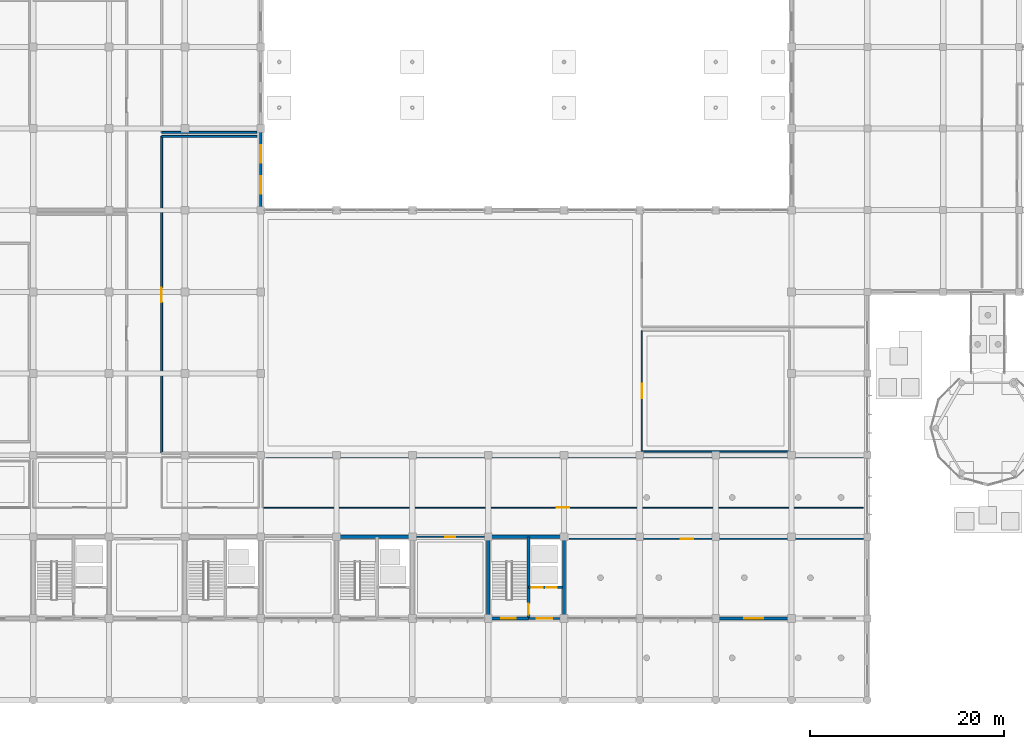
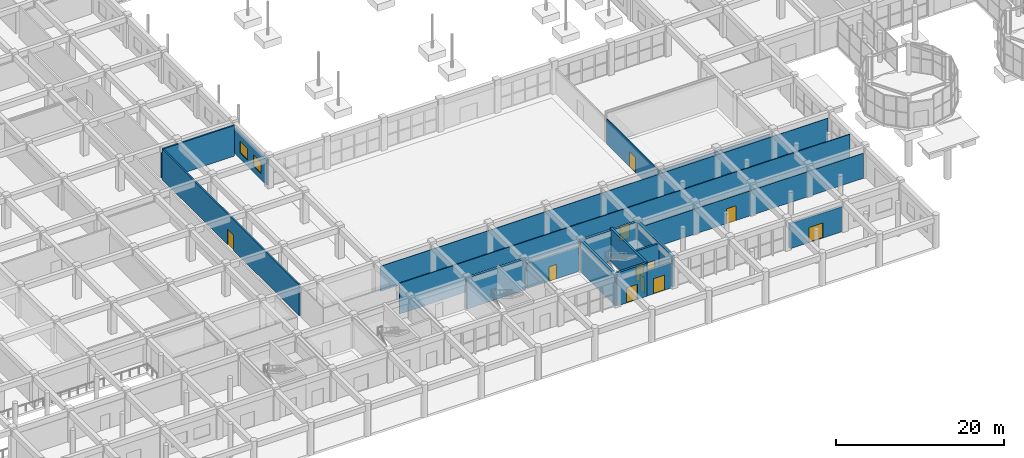
# One storey, part 124 of 139: 19 walls, 11 doors, 2 windows, 13 openings.
"""IFC4 building model written with IfcOpenShell, lengths in metres."""

from ifc_helpers import new_model, si_unit, direction, frame, frame_2d, origin, place, context, subcontext, project, spatial, rectangle, extrude, material, layer, layer_set, type_object, element, fill, save


model = new_model("IFC4")

# Units and contexts
model_context = context("Model", 3, precision=1e-05, world=origin(), true_north=direction((0.0, 1.0)))
body_context = subcontext(model_context, "Body", "Model", "MODEL_VIEW")
ifc_project = project(units=[si_unit("LENGTHUNIT", "METRE"), si_unit("AREAUNIT", "SQUARE_METRE"), si_unit("VOLUMEUNIT", "CUBIC_METRE"), si_unit("PLANEANGLEUNIT", "RADIAN"), si_unit("MASSUNIT", "GRAM", prefix="KILO")], contexts=[model_context])

# Site, building, storey
site_placement = place(None, origin())
site = spatial("IfcSite", under=ifc_project, at=site_placement, CompositionType="ELEMENT")
building_placement = place(site_placement, origin())
building = spatial("IfcBuilding", under=site, at=building_placement, Name="Zizhar Promenade General Hospital", CompositionType="ELEMENT")
storey_placement = place(building_placement, origin())
storey = spatial("IfcBuildingStorey", under=building, at=storey_placement, Name="L00", CompositionType="ELEMENT", Elevation=0.0)

# Wall, openings, windows
ifc_material_1 = material(Name="Precast concrete C40/50", Category="concrete")
ifc_layer_1 = layer(ifc_material_1, 0.260009765625)
ifc_layer_set_1 = layer_set([ifc_layer_1], Name="Precast concrete C40/50")
wall_type_1 = type_object("IfcWallType", Name="EW-PC-260", PredefinedType="STANDARD", material=ifc_layer_set_1)
wall_1_placement = place(storey_placement, frame((70.199951171875, 50.739990234375, 0.0), z_axis=(0.0, 0.0, 1.0), x_axis=(0.0, 1.0, 0.0)))
wall_1 = element("IfcWall", 1, at=wall_1_placement, inside=storey, type_object=wall_type_1, Name="Garden Court West Wall L00-6", PredefinedType="STANDARD", context=body_context, shape_type="SweptSolid", body=[
    extrude(rectangle(XDim=7.719970703125, YDim=0.260009765625, at=frame_2d((3.85986328125, 0.0))), origin(), (0.0, 0.0, 1.0), 3.614990234375),
])
opening_1_placement = place(wall_1_placement, frame((1.373291015625, 0.0, 0.89990234375)))
opening_1 = element("IfcOpeningElement", 2, at=opening_1_placement, cuts=wall_1, Name="Opening W-08", PredefinedType="OPENING", context=body_context, shape_type="SweptSolid", body=[
    extrude(rectangle(XDim=1.800048828125, YDim=1.64990234375, at=frame_2d((0.89990234375, 0.824951171875))), frame((0.0, 0.14013671875, 0.0), z_axis=(0.0, -1.0, 0.0), x_axis=(1.0, 0.0, 0.0)), (0.0, 0.0, 1.0), 0.280029296875),
])
opening_2_placement = place(wall_1_placement, frame((4.546630859375, 0.0, 0.89990234375)))
opening_2 = element("IfcOpeningElement", 3, at=opening_2_placement, cuts=wall_1, Name="Opening W-08", PredefinedType="OPENING", context=body_context, shape_type="SweptSolid", body=[
    extrude(rectangle(XDim=1.800048828125, YDim=1.64990234375, at=frame_2d((0.89990234375, 0.824951171875))), frame((0.0, 0.14013671875, 0.0), z_axis=(0.0, -1.0, 0.0), x_axis=(1.0, 0.0, 0.0)), (0.0, 0.0, 1.0), 0.280029296875),
])
ifc_material_2 = material(Name="Anodised aluminium 6063-T6 and low-E glass", Category="aluminium")
window_type = type_object("IfcWindowType", Name="WIN-CLN-180x165", PartitioningType="DOUBLE_PANEL_VERTICAL", PredefinedType="WINDOW", material=ifc_material_2)
window_1_placement = place(opening_1_placement, origin())
window_1 = element("IfcWindow", 4, at=window_1_placement, inside=storey, type_object=window_type, Name="Garden Court West Wall L00-6 Window 1", OverallHeight=1.64990234375, OverallWidth=1.800048828125, PartitioningType="SINGLE_PANEL", PredefinedType="WINDOW", context=body_context, shape_type="SweptSolid", body=[
    extrude(rectangle(XDim=1.800048828125, YDim=1.64990234375, at=frame_2d((0.89990234375, 0.824951171875))), frame((0.0, 0.030029296875, 0.0), z_axis=(0.0, -1.0, 0.0), x_axis=(1.0, 0.0, 0.0)), (0.0, 0.0, 1.0), 0.06005859375),
])
fill(opening_1, window_1)
window_2_placement = place(opening_2_placement, origin())
window_2 = element("IfcWindow", 5, at=window_2_placement, inside=storey, type_object=window_type, Name="Garden Court West Wall L00-6 Window 2", OverallHeight=1.64990234375, OverallWidth=1.800048828125, PartitioningType="SINGLE_PANEL", PredefinedType="WINDOW", context=body_context, shape_type="SweptSolid", body=[
    extrude(rectangle(XDim=1.800048828125, YDim=1.64990234375, at=frame_2d((0.89990234375, 0.824951171875))), frame((0.0, 0.030029296875, 0.0), z_axis=(0.0, -1.0, 0.0), x_axis=(1.0, 0.0, 0.0)), (0.0, 0.0, 1.0), 0.06005859375),
])
fill(opening_2, window_2)

# Wall, opening, door
ifc_material_3 = material(Name="Precast concrete C40/50", Category="concrete")
ifc_layer_2 = layer(ifc_material_3, 0.320068359375)
ifc_layer_set_2 = layer_set([ifc_layer_2], Name="Precast concrete C40/50")
wall_type_2 = type_object("IfcWallType", Name="EW-PC-320", PredefinedType="STANDARD", material=ifc_layer_set_2)
wall_2_placement = place(storey_placement, frame((124.4599609375, 8.39990234375, 0.0), z_axis=(0.0, 0.0, 1.0), x_axis=(-1.0, 0.0, 0.0)))
wall_2 = element("IfcWall", 6, at=wall_2_placement, inside=storey, type_object=wall_type_2, Name="Promenade Ground Wall Bay 14", PredefinedType="STANDARD", context=body_context, shape_type="SweptSolid", body=[
    extrude(rectangle(XDim=7.119873046875, YDim=0.320068359375, at=frame_2d((3.56005859375, 0.0))), origin(), (0.0, 0.0, 1.0), 3.6298828125),
])
opening_3_placement = place(wall_2_placement, frame((2.580078125, 0.0, 0.0)))
opening_3 = element("IfcOpeningElement", 7, at=opening_3_placement, cuts=wall_2, Name="Opening ED-02", PredefinedType="OPENING", context=body_context, shape_type="SweptSolid", body=[
    extrude(rectangle(XDim=1.9599609375, YDim=2.199951171875, at=frame_2d((0.97998046875, 1.10009765625))), frame((0.0, 0.169921875, 0.0), z_axis=(0.0, -1.0, 0.0), x_axis=(1.0, 0.0, 0.0)), (0.0, 0.0, 1.0), 0.340087890625),
])
ifc_material_4 = material(Name="Anodised aluminium 6063-T6 and laminated safety glass", Category="aluminium")
door_type_1 = type_object("IfcDoorType", Name="DR-EXT-EXIT-196x220", OperationType="DOUBLE_DOOR_SINGLE_SWING", PredefinedType="DOOR", material=ifc_material_4)
door_1_placement = place(opening_3_placement, origin())
door_1 = element("IfcDoor", 8, at=door_1_placement, inside=storey, type_object=door_type_1, Name="Promenade Final Exit Door 14", OperationType="DOUBLE_DOOR_SINGLE_SWING", OverallHeight=2.199951171875, OverallWidth=1.9599609375, PredefinedType="DOOR", context=body_context, shape_type="SweptSolid", body=[
    extrude(rectangle(XDim=1.9599609375, YDim=2.199951171875, at=frame_2d((0.97998046875, 1.10009765625))), frame((0.0, 0.02490234375, 0.0), z_axis=(0.0, -1.0, 0.0), x_axis=(1.0, 0.0, 0.0)), (0.0, 0.0, 1.0), 0.050048828125),
])
fill(opening_3, door_1)

# Wall
ifc_material_5 = material(Name="Clinical consultation partition")
ifc_layer_3 = layer(ifc_material_5, 0.14501953125)
ifc_layer_set_3 = layer_set([ifc_layer_3], Name="Clinical consultation partition")
wall_type_3 = type_object("IfcWallType", Name="IW-CLN-145", PredefinedType="PARTITIONING", material=ifc_layer_set_3)
wall_3_placement = place(storey_placement, frame((109.39990234375, 25.60009765625, 0.0), z_axis=(0.0, 0.0, 1.0), x_axis=(1.0, 0.0, 0.0)))
element("IfcWall", 9, at=wall_3_placement, inside=storey, type_object=wall_type_3, Name="Hospital Cafe and Dining Lounge S Partition", PredefinedType="PARTITIONING", context=body_context, shape_type="SweptSolid", body=[
    extrude(rectangle(XDim=15.2001953125, YDim=0.14501953125, at=frame_2d((7.60009765625, 0.0))), origin(), (0.0, 0.0, 1.0), 3.6298828125),
])

# Wall, opening, door
wall_4_placement = place(storey_placement, frame((109.39990234375, 25.60009765625, 0.0), z_axis=(0.0, 0.0, 1.0), x_axis=(0.0, 1.0, 0.0)))
wall_4 = element("IfcWall", 10, at=wall_4_placement, inside=storey, type_object=wall_type_3, Name="Hospital Cafe and Dining Lounge W Partition", PredefinedType="PARTITIONING", context=body_context, shape_type="SweptSolid", body=[
    extrude(rectangle(XDim=12.39990234375, YDim=0.14501953125, at=frame_2d((6.199951171875, 0.0))), origin(), (0.0, 0.0, 1.0), 3.6298828125),
])
opening_4_placement = place(wall_4_placement, frame((5.43994140625, 0.0, 0.0)))
opening_4 = element("IfcOpeningElement", 11, at=opening_4_placement, cuts=wall_4, Name="Opening D-28", PredefinedType="OPENING", context=body_context, shape_type="SweptSolid", body=[
    extrude(rectangle(XDim=1.52001953125, YDim=2.199951171875, at=frame_2d((0.760009765625, 1.10009765625))), frame((0.0, 0.08251953125, 0.0), z_axis=(0.0, -1.0, 0.0), x_axis=(1.0, 0.0, 0.0)), (0.0, 0.0, 1.0), 0.1650390625),
])
ifc_material_6 = material(Name="Fire-rated timber glazed lounge pair", Category="wood")
door_type_2 = type_object("IfcDoorType", Name="DR-LOUNGE-152x220", OperationType="DOUBLE_DOOR_SINGLE_SWING", PredefinedType="DOOR", material=ifc_material_6)
door_2_placement = place(opening_4_placement, origin())
door_2 = element("IfcDoor", 12, at=door_2_placement, inside=storey, type_object=door_type_2, Name="Hospital Cafe and Dining Lounge Door", OperationType="DOUBLE_DOOR_SINGLE_SWING", OverallHeight=2.199951171875, OverallWidth=1.52001953125, PredefinedType="DOOR", context=body_context, shape_type="SweptSolid", body=[
    extrude(rectangle(XDim=1.52001953125, YDim=2.199951171875, at=frame_2d((0.760009765625, 1.10009765625))), frame((0.0, 0.02490234375, 0.0), z_axis=(0.0, -1.0, 0.0), x_axis=(1.0, 0.0, 0.0)), (0.0, 0.0, 1.0), 0.050048828125),
])
fill(opening_4, door_2)

ifc_material_7 = material(Name="Concrete C35/45", Category="concrete")
ifc_layer_4 = layer(ifc_material_7, 0.215087890625)
ifc_layer_set_4 = layer_set([ifc_layer_4], Name="Concrete C35/45")
wall_type_4 = type_object("IfcWallType", Name="IW-LOBBY-215", PredefinedType="STANDARD", material=ifc_layer_set_4)
wall_5_placement = place(storey_placement, frame((97.75, 8.39990234375, 0.0), z_axis=(0.0, 0.0, 1.0), x_axis=(1.0, 0.0, 0.0)))
wall_5 = element("IfcWall", 13, at=wall_5_placement, inside=storey, type_object=wall_type_4, Name="Core C5 Lift Lobby South Fire Wall (L00)", PredefinedType="STANDARD", context=body_context, shape_type="SweptSolid", body=[
    extrude(rectangle(XDim=3.2900390625, YDim=0.215087890625, at=frame_2d((1.64501953125, 0.0))), origin(), (0.0, 0.0, 1.0), 3.6298828125),
])
opening_5_placement = place(wall_5_placement, frame((0.864990234375, 0.0, 0.0)))
opening_5 = element("IfcOpeningElement", 14, at=opening_5_placement, cuts=wall_5, Name="Opening D-22", PredefinedType="OPENING", context=body_context, shape_type="SweptSolid", body=[
    extrude(rectangle(XDim=1.56005859375, YDim=2.199951171875, at=frame_2d((0.780029296875, 1.10009765625))), frame((0.0, 0.11767578125, 0.0), z_axis=(0.0, -1.0, 0.0), x_axis=(1.0, 0.0, 0.0)), (0.0, 0.0, 1.0), 0.235107421875),
])
ifc_material_8 = material(Name="Steel S355 firefighting lobby pair", Category="steel")
door_type_3 = type_object("IfcDoorType", Name="DR-LOBBY-FF-156x220", OperationType="DOUBLE_DOOR_SINGLE_SWING", PredefinedType="DOOR", material=ifc_material_8)
door_3_placement = place(opening_5_placement, origin())
door_3 = element("IfcDoor", 15, at=door_3_placement, inside=storey, type_object=door_type_3, Name="Core C5 Firefighting Lift Lobby Door (L00)", OperationType="DOUBLE_DOOR_SINGLE_SWING", OverallHeight=2.199951171875, OverallWidth=1.56005859375, PredefinedType="DOOR", context=body_context, shape_type="SweptSolid", body=[
    extrude(rectangle(XDim=1.56005859375, YDim=2.199951171875, at=frame_2d((0.780029296875, 1.10009765625))), frame((0.0, 0.02490234375, 0.0), z_axis=(0.0, -1.0, 0.0), x_axis=(1.0, 0.0, 0.0)), (0.0, 0.0, 1.0), 0.050048828125),
])
fill(opening_5, door_3)

# Wall, openings, doors
ifc_material_9 = material(Name="Concrete C35/45", Category="concrete")
ifc_layer_5 = layer(ifc_material_9, 0.25)
ifc_layer_set_5 = layer_set([ifc_layer_5], Name="Concrete C35/45")
wall_type_5 = type_object("IfcWallType", Name="IW-SHAFT-250", PredefinedType="STANDARD", material=ifc_layer_set_5)
wall_6_placement = place(storey_placement, frame((97.75, 11.60009765625, 0.0), z_axis=(0.0, 0.0, 1.0), x_axis=(1.0, 0.0, 0.0)))
wall_6 = element("IfcWall", 16, at=wall_6_placement, inside=storey, type_object=wall_type_5, Name="Core C5 Lift Shaft Landing Wall (L00)", PredefinedType="STANDARD", context=body_context, shape_type="SweptSolid", body=[
    extrude(rectangle(XDim=3.5, YDim=0.25, at=frame_2d((1.75, 0.0))), origin(), (0.0, 0.0, 1.0), 4.4599609375),
])
opening_6_placement = place(wall_6_placement, frame((0.35009765625, 0.0, 0.0)))
opening_6 = element("IfcOpeningElement", 17, at=opening_6_placement, cuts=wall_6, Name="Opening LD-11", PredefinedType="OPENING", context=body_context, shape_type="SweptSolid", body=[
    extrude(rectangle(XDim=1.10009765625, YDim=2.199951171875, at=frame_2d((0.550048828125, 1.10009765625))), frame((0.0, 0.135009765625, 0.0), z_axis=(0.0, -1.0, 0.0), x_axis=(1.0, 0.0, 0.0)), (0.0, 0.0, 1.0), 0.27001953125),
])
opening_7_placement = place(wall_6_placement, frame((1.800048828125, 0.0, 0.0)))
opening_7 = element("IfcOpeningElement", 18, at=opening_7_placement, cuts=wall_6, Name="Opening LD-11", PredefinedType="OPENING", context=body_context, shape_type="SweptSolid", body=[
    extrude(rectangle(XDim=1.10009765625, YDim=2.199951171875, at=frame_2d((0.550048828125, 1.10009765625))), frame((0.0, 0.135009765625, 0.0), z_axis=(0.0, -1.0, 0.0), x_axis=(1.0, 0.0, 0.0)), (0.0, 0.0, 1.0), 0.27001953125),
])
ifc_material_10 = material(Name="Stainless Steel S355 passenger lift landing door", Category="steel")
door_type_4 = type_object("IfcDoorType", Name="DR-LIFT-LD11", OperationType="SLIDING_TO_LEFT", PredefinedType="DOOR", material=ifc_material_10)
door_4_placement = place(opening_6_placement, origin())
door_4 = element("IfcDoor", 19, at=door_4_placement, inside=storey, type_object=door_type_4, Name="Lift LF-02 Sliding Landing Door (L00)", OperationType="SLIDING_TO_LEFT", OverallHeight=2.199951171875, OverallWidth=1.10009765625, PredefinedType="DOOR", context=body_context, shape_type="SweptSolid", body=[
    extrude(rectangle(XDim=1.10009765625, YDim=2.199951171875, at=frame_2d((0.550048828125, 1.10009765625))), frame((0.0, 0.02490234375, 0.0), z_axis=(0.0, -1.0, 0.0), x_axis=(1.0, 0.0, 0.0)), (0.0, 0.0, 1.0), 0.050048828125),
])
fill(opening_6, door_4)
door_5_placement = place(opening_7_placement, origin())
door_5 = element("IfcDoor", 20, at=door_5_placement, inside=storey, type_object=door_type_4, Name="Lift LB-04 Sliding Landing Door (L00)", OperationType="SLIDING_TO_LEFT", OverallHeight=2.199951171875, OverallWidth=1.10009765625, PredefinedType="DOOR", context=body_context, shape_type="SweptSolid", body=[
    extrude(rectangle(XDim=1.10009765625, YDim=2.199951171875, at=frame_2d((0.550048828125, 1.10009765625))), frame((0.0, 0.02490234375, 0.0), z_axis=(0.0, -1.0, 0.0), x_axis=(1.0, 0.0, 0.0)), (0.0, 0.0, 1.0), 0.050048828125),
])
fill(opening_7, door_5)

# Wall, opening, door
ifc_material_11 = material(Name="Clean utility gypsum partition")
ifc_layer_6 = layer(ifc_material_11, 0.114990234375)
ifc_layer_set_6 = layer_set([ifc_layer_6], Name="Clean utility gypsum partition")
wall_type_6 = type_object("IfcWallType", Name="IW-STR-115", PredefinedType="PARTITIONING", material=ifc_layer_set_6)
wall_7_placement = place(storey_placement, frame((101.9599609375, 16.60009765625, 0.0), z_axis=(0.0, 0.0, 1.0), x_axis=(1.0, 0.0, 0.0)))
wall_7 = element("IfcWall", 21, at=wall_7_placement, inside=storey, type_object=wall_type_6, Name="Community Health Education Rooms N Partition", PredefinedType="PARTITIONING", context=body_context, shape_type="SweptSolid", body=[
    extrude(rectangle(XDim=30.239990234375, YDim=0.114990234375, at=frame_2d((15.1201171875, 0.0))), origin(), (0.0, 0.0, 1.0), 3.6298828125),
])
opening_8_placement = place(wall_7_placement, frame((11.43603515625, 0.0, 0.0)))
opening_8 = element("IfcOpeningElement", 22, at=opening_8_placement, cuts=wall_7, Name="Opening D-26", PredefinedType="OPENING", context=body_context, shape_type="SweptSolid", body=[
    extrude(rectangle(XDim=1.320068359375, YDim=2.14990234375, at=frame_2d((0.66015625, 1.074951171875))), frame((0.0, 0.0673828125, 0.0), z_axis=(0.0, -1.0, 0.0), x_axis=(1.0, 0.0, 0.0)), (0.0, 0.0, 1.0), 0.135009765625),
])
ifc_material_12 = material(Name="Fire-rated timber store leaf", Category="wood")
door_type_5 = type_object("IfcDoorType", Name="DR-STORE-132x215", OperationType="NOTDEFINED", PredefinedType="DOOR", material=ifc_material_12)
door_6_placement = place(opening_8_placement, origin())
door_6 = element("IfcDoor", 23, at=door_6_placement, inside=storey, type_object=door_type_5, Name="Community Health Education Rooms Door", OperationType="SINGLE_SWING_RIGHT", OverallHeight=2.14990234375, OverallWidth=1.320068359375, PredefinedType="DOOR", context=body_context, shape_type="SweptSolid", body=[
    extrude(rectangle(XDim=1.320068359375, YDim=2.14990234375, at=frame_2d((0.66015625, 1.074951171875))), frame((0.0, 0.02490234375, 0.0), z_axis=(0.0, -1.0, 0.0), x_axis=(1.0, 0.0, 0.0)), (0.0, 0.0, 1.0), 0.050048828125),
])
fill(opening_8, door_6)

wall_8_placement = place(storey_placement, frame((70.39990234375, 19.800048828125, 0.0), z_axis=(0.0, 0.0, 1.0), x_axis=(1.0, 0.0, 0.0)))
wall_8 = element("IfcWall", 24, at=wall_8_placement, inside=storey, type_object=wall_type_6, Name="Visitor Waiting Concourse S Partition", PredefinedType="PARTITIONING", context=body_context, shape_type="SweptSolid", body=[
    extrude(rectangle(XDim=61.800048828125, YDim=0.114990234375, at=frame_2d((30.89990234375, 0.0))), origin(), (0.0, 0.0, 1.0), 4.4599609375),
])
opening_9_placement = place(wall_8_placement, frame((30.239990234375, 0.0, 0.0)))
opening_9 = element("IfcOpeningElement", 25, at=opening_9_placement, cuts=wall_8, Name="Opening D-26", PredefinedType="OPENING", context=body_context, shape_type="SweptSolid", body=[
    extrude(rectangle(XDim=1.320068359375, YDim=2.14990234375, at=frame_2d((0.66015625, 1.074951171875))), frame((0.0, 0.0673828125, 0.0), z_axis=(0.0, -1.0, 0.0), x_axis=(1.0, 0.0, 0.0)), (0.0, 0.0, 1.0), 0.135009765625),
])
door_7_placement = place(opening_9_placement, origin())
door_7 = element("IfcDoor", 26, at=door_7_placement, inside=storey, type_object=door_type_5, Name="Visitor Waiting Concourse Door", OperationType="SINGLE_SWING_RIGHT", OverallHeight=2.14990234375, OverallWidth=1.320068359375, PredefinedType="DOOR", context=body_context, shape_type="SweptSolid", body=[
    extrude(rectangle(XDim=1.320068359375, YDim=2.14990234375, at=frame_2d((0.66015625, 1.074951171875))), frame((0.0, 0.02490234375, 0.0), z_axis=(0.0, -1.0, 0.0), x_axis=(1.0, 0.0, 0.0)), (0.0, 0.0, 1.0), 0.050048828125),
])
fill(opening_9, door_7)

# Wall
wall_9_placement = place(storey_placement, frame((70.760009765625, 25.0, 0.0), z_axis=(0.0, 0.0, 1.0), x_axis=(1.0, 0.0, 0.0)))
element("IfcWall", 27, at=wall_9_placement, inside=storey, type_object=wall_type_6, Name="Visitor Waiting Concourse N Partition", PredefinedType="PARTITIONING", context=body_context, shape_type="SweptSolid", body=[
    extrude(rectangle(XDim=61.43994140625, YDim=0.114990234375, at=frame_2d((30.719970703125, 0.0))), origin(), (0.0, 0.0, 1.0), 3.6298828125),
])

# Wall, opening, door
ifc_material_13 = material(Name="Moisture-resistant en-suite wet partition")
ifc_layer_7 = layer(ifc_material_13, 0.125)
ifc_layer_set_7 = layer_set([ifc_layer_7], Name="Moisture-resistant en-suite wet partition")
wall_type_7 = type_object("IfcWallType", Name="IW-WET-125", PredefinedType="PARTITIONING", material=ifc_layer_set_7)
wall_10_placement = place(storey_placement, frame((86.159912109375, 16.800048828125, 0.0), z_axis=(0.0, 0.0, 1.0), x_axis=(1.0, 0.0, 0.0)))
wall_10 = element("IfcWall", 28, at=wall_10_placement, inside=storey, type_object=wall_type_7, Name="Accessible Public Toilet L00 East N Partition", PredefinedType="PARTITIONING", context=body_context, shape_type="SweptSolid", body=[
    extrude(rectangle(XDim=7.080078125, YDim=0.125, at=frame_2d((3.5400390625, 0.0))), origin(), (0.0, 0.0, 1.0), 3.6298828125),
])
opening_10_placement = place(wall_10_placement, frame((3.0400390625, 0.0, 0.0)))
opening_10 = element("IfcOpeningElement", 29, at=opening_10_placement, cuts=wall_10, Name="Opening D-19", PredefinedType="OPENING", context=body_context, shape_type="SweptSolid", body=[
    extrude(rectangle(XDim=1.0, YDim=2.10009765625, at=frame_2d((0.5, 1.050048828125))), frame((0.0, 0.072509765625, 0.0), z_axis=(0.0, -1.0, 0.0), x_axis=(1.0, 0.0, 0.0)), (0.0, 0.0, 1.0), 0.14501953125),
])
ifc_material_14 = material(Name="Moisture-resistant timber accessible WC", Category="wood")
door_type_6 = type_object("IfcDoorType", Name="DR-WC-PMR-100x210", OperationType="NOTDEFINED", PredefinedType="DOOR", material=ifc_material_14)
door_8_placement = place(opening_10_placement, origin())
door_8 = element("IfcDoor", 30, at=door_8_placement, inside=storey, type_object=door_type_6, Name="Accessible Public Toilet L00 East Door", OperationType="SINGLE_SWING_LEFT", OverallHeight=2.10009765625, OverallWidth=1.0, PredefinedType="DOOR", context=body_context, shape_type="SweptSolid", body=[
    extrude(rectangle(XDim=1.0, YDim=2.10009765625, at=frame_2d((0.5, 1.050048828125))), frame((0.0, 0.02490234375, 0.0), z_axis=(0.0, -1.0, 0.0), x_axis=(1.0, 0.0, 0.0)), (0.0, 0.0, 1.0), 0.050048828125),
])
fill(opening_10, door_8)

# Wall
ifc_material_15 = material(Name="Lead-lined gypsum acoustic partition")
ifc_layer_8 = layer(ifc_material_15, 0.205078125)
ifc_layer_set_8 = layer_set([ifc_layer_8], Name="Lead-lined gypsum acoustic partition")
wall_type_8 = type_object("IfcWallType", Name="IW-XRAY-205", PredefinedType="PARTITIONING", material=ifc_layer_set_8)
wall_11_placement = place(storey_placement, frame((60.0, 58.0, 0.0), z_axis=(0.0, 0.0, 1.0), x_axis=(1.0, 0.0, 0.0)))
element("IfcWall", 31, at=wall_11_placement, inside=storey, type_object=wall_type_8, Name="Digital X-Ray and Fluoroscopy Imaging Room N Partition", PredefinedType="PARTITIONING", context=body_context, shape_type="SweptSolid", body=[
    extrude(rectangle(XDim=9.800048828125, YDim=0.205078125, at=frame_2d((4.89990234375, 0.0))), origin(), (0.0, 0.0, 1.0), 4.4599609375),
])

# Wall, opening, door
wall_12_placement = place(storey_placement, frame((60.0, 25.39990234375, 0.0), z_axis=(0.0, 0.0, 1.0), x_axis=(0.0, 1.0, 0.0)))
wall_12 = element("IfcWall", 32, at=wall_12_placement, inside=storey, type_object=wall_type_8, Name="Digital X-Ray and Fluoroscopy Imaging Room W Partition", PredefinedType="PARTITIONING", context=body_context, shape_type="SweptSolid", body=[
    extrude(rectangle(XDim=32.60009765625, YDim=0.205078125, at=frame_2d((16.300048828125, 0.0))), origin(), (0.0, 0.0, 1.0), 4.4599609375),
])
opening_11_placement = place(wall_12_placement, frame((15.550048828125, 0.0, 0.0)))
opening_11 = element("IfcOpeningElement", 33, at=opening_11_placement, cuts=wall_12, Name="Opening D-10", PredefinedType="OPENING", context=body_context, shape_type="SweptSolid", body=[
    extrude(rectangle(XDim=1.5, YDim=2.25, at=frame_2d((0.75, 1.125))), frame((0.0, 0.112548828125, 0.0), z_axis=(0.0, -1.0, 0.0), x_axis=(1.0, 0.0, 0.0)), (0.0, 0.0, 1.0), 0.22509765625),
])
ifc_material_16 = material(Name="Lead-lined radiation-shielded Steel S355", Category="steel")
door_type_7 = type_object("IfcDoorType", Name="DR-IMG-LEAD-150x225", OperationType="DOUBLE_DOOR_SINGLE_SWING", PredefinedType="DOOR", material=ifc_material_16)
door_9_placement = place(opening_11_placement, origin())
door_9 = element("IfcDoor", 34, at=door_9_placement, inside=storey, type_object=door_type_7, Name="Digital X-Ray and Fluoroscopy Imaging Room Door", OperationType="DOUBLE_DOOR_SINGLE_SWING", OverallHeight=2.25, OverallWidth=1.5, PredefinedType="DOOR", context=body_context, shape_type="SweptSolid", body=[
    extrude(rectangle(XDim=1.5, YDim=2.25, at=frame_2d((0.75, 1.125))), frame((0.0, 0.02490234375, 0.0), z_axis=(0.0, -1.0, 0.0), x_axis=(1.0, 0.0, 0.0)), (0.0, 0.0, 1.0), 0.050048828125),
])
fill(opening_11, door_9)

# Wall
wall_13_placement = place(storey_placement, frame((60.0, 58.39990234375, 0.0), z_axis=(0.0, 0.0, 1.0), x_axis=(1.0, 0.0, 0.0)))
element("IfcWall", 35, at=wall_13_placement, inside=storey, type_object=wall_type_8, Name="Ultrasound and Mammography Imaging Suite S Partition", PredefinedType="PARTITIONING", context=body_context, shape_type="SweptSolid", body=[
    extrude(rectangle(XDim=9.800048828125, YDim=0.205078125, at=frame_2d((4.89990234375, 0.0))), origin(), (0.0, 0.0, 1.0), 3.6298828125),
])

# Wall, opening, door
ifc_material_17 = material(Name="Concrete C40/50", Category="concrete")
ifc_layer_9 = layer(ifc_material_17, 0.300048828125)
ifc_layer_set_9 = layer_set([ifc_layer_9], Name="Concrete C40/50")
wall_type_9 = type_object("IfcWallType", Name="WL-CORE-300", PredefinedType="SHEAR", material=ifc_layer_set_9)
wall_14_placement = place(storey_placement, frame((93.60009765625, 8.39990234375, 0.0), z_axis=(0.0, 0.0, 1.0), x_axis=(1.0, 0.0, 0.0)))
wall_14 = element("IfcWall", 36, at=wall_14_placement, inside=storey, type_object=wall_type_9, Name="Core C5 Stair South Fire Wall (L00)", PredefinedType="SHEAR", context=body_context, shape_type="SweptSolid", body=[
    extrude(rectangle(XDim=4.14990234375, YDim=0.300048828125, at=frame_2d((2.074951171875, 0.0))), origin(), (0.0, 0.0, 1.0), 4.800048828125),
])
opening_12_placement = place(wall_14_placement, frame((1.3349609375, 0.0, 0.0)))
opening_12 = element("IfcOpeningElement", 37, at=opening_12_placement, cuts=wall_14, Name="Opening D-20", PredefinedType="OPENING", context=body_context, shape_type="SweptSolid", body=[
    extrude(rectangle(XDim=1.47998046875, YDim=2.199951171875, at=frame_2d((0.739990234375, 1.10009765625))), frame((0.0, 0.16015625, 0.0), z_axis=(0.0, -1.0, 0.0), x_axis=(1.0, 0.0, 0.0)), (0.0, 0.0, 1.0), 0.320068359375),
])
ifc_material_18 = material(Name="Steel S355 fire-exit pair", Category="steel")
door_type_8 = type_object("IfcDoorType", Name="DR-STAIR-148x220", OperationType="DOUBLE_DOOR_SINGLE_SWING", PredefinedType="DOOR", material=ifc_material_18)
door_10_placement = place(opening_12_placement, origin())
door_10 = element("IfcDoor", 38, at=door_10_placement, inside=storey, type_object=door_type_8, Name="Exit Stair ST-05 Door (L00)", OperationType="DOUBLE_DOOR_SINGLE_SWING", OverallHeight=2.199951171875, OverallWidth=1.47998046875, PredefinedType="DOOR", context=body_context, shape_type="SweptSolid", body=[
    extrude(rectangle(XDim=1.47998046875, YDim=2.199951171875, at=frame_2d((0.739990234375, 1.10009765625))), frame((0.0, 0.02490234375, 0.0), z_axis=(0.0, -1.0, 0.0), x_axis=(1.0, 0.0, 0.0)), (0.0, 0.0, 1.0), 0.050048828125),
])
fill(opening_12, door_10)

wall_15_placement = place(storey_placement, frame((97.75, 8.39990234375, 0.0), z_axis=(0.0, 0.0, 1.0), x_axis=(0.0, 1.0, 0.0)))
wall_15 = element("IfcWall", 39, at=wall_15_placement, inside=storey, type_object=wall_type_9, Name="Core C5 Stair-Shaft Separation Wall (L00)", PredefinedType="SHEAR", context=body_context, shape_type="SweptSolid", body=[
    extrude(rectangle(XDim=8.400146484375, YDim=0.300048828125, at=frame_2d((4.2001953125, 0.0))), origin(), (0.0, 0.0, 1.0), 4.800048828125),
])
opening_13_placement = place(wall_15_placement, frame((0.39990234375, 0.0, 0.0)))
opening_13 = element("IfcOpeningElement", 40, at=opening_13_placement, cuts=wall_15, Name="Opening D-21", PredefinedType="OPENING", context=body_context, shape_type="SweptSolid", body=[
    extrude(rectangle(XDim=1.1201171875, YDim=2.14990234375, at=frame_2d((0.56005859375, 1.074951171875))), frame((0.0, 0.16015625, 0.0), z_axis=(0.0, -1.0, 0.0), x_axis=(1.0, 0.0, 0.0)), (0.0, 0.0, 1.0), 0.320068359375),
])
ifc_material_19 = material(Name="Steel S355 protected stair door", Category="steel")
door_type_9 = type_object("IfcDoorType", Name="DR-STAIR-112x215", OperationType="NOTDEFINED", PredefinedType="DOOR", material=ifc_material_19)
door_11_placement = place(opening_13_placement, origin())
door_11 = element("IfcDoor", 41, at=door_11_placement, inside=storey, type_object=door_type_9, Name="Firefighting Lobby to Stair ST-05 Door (L00)", OperationType="SINGLE_SWING_LEFT", OverallHeight=2.14990234375, OverallWidth=1.1201171875, PredefinedType="DOOR", context=body_context, shape_type="SweptSolid", body=[
    extrude(rectangle(XDim=1.1201171875, YDim=2.14990234375, at=frame_2d((0.56005859375, 1.074951171875))), frame((0.0, 0.02490234375, 0.0), z_axis=(0.0, -1.0, 0.0), x_axis=(1.0, 0.0, 0.0)), (0.0, 0.0, 1.0), 0.050048828125),
])
fill(opening_13, door_11)

# Walls
ifc_material_20 = material(Name="Concrete C40/50", Category="concrete")
ifc_layer_10 = layer(ifc_material_20, 0.35009765625)
ifc_layer_set_10 = layer_set([ifc_layer_10], Name="Concrete C40/50")
wall_type_10 = type_object("IfcWallType", Name="WL-CORE-350", PredefinedType="SHEAR", material=ifc_layer_set_10)
wall_16_placement = place(storey_placement, frame((77.824951171875, 16.800048828125, 0.0), z_axis=(0.0, 0.0, 1.0), x_axis=(1.0, 0.0, 0.0)))
element("IfcWall", 42, at=wall_16_placement, inside=storey, type_object=wall_type_10, Name="Core C4 North Shear Wall L00", PredefinedType="SHEAR", context=body_context, shape_type="SweptSolid", body=[
    extrude(rectangle(XDim=8.150146484375, YDim=0.35009765625, at=frame_2d((4.0751953125, 0.0))), origin(), (0.0, 0.0, 1.0), 4.47998046875),
])
wall_17_placement = place(storey_placement, frame((93.425048828125, 16.800048828125, 0.0), z_axis=(0.0, 0.0, 1.0), x_axis=(1.0, 0.0, 0.0)))
element("IfcWall", 43, at=wall_17_placement, inside=storey, type_object=wall_type_10, Name="Core C5 North Shear Wall L00", PredefinedType="SHEAR", context=body_context, shape_type="SweptSolid", body=[
    extrude(rectangle(XDim=8.14990234375, YDim=0.35009765625, at=frame_2d((4.074951171875, 0.0))), origin(), (0.0, 0.0, 1.0), 4.47998046875),
])
for number, where, z_axis, x_axis, name in (
    (44, (93.60009765625, 8.39990234375, 0.0), (0.0, 0.0, 1.0), (0.0, 1.0, 0.0), "Core C5 West Shear Wall L00"),
    (45, (101.39990234375, 8.39990234375, 0.0), (0.0, 0.0, 1.0), (0.0, 1.0, 0.0), "Core C5 East Shear Wall L00"),
):
    element("IfcWall", number, at=place(storey_placement, frame(where, z_axis=z_axis, x_axis=x_axis)), inside=storey, type_object=wall_type_10, Name=name, PredefinedType="SHEAR", context=body_context, shape_type="SweptSolid", body=[
        extrude(rectangle(XDim=8.400146484375, YDim=0.35009765625, at=frame_2d((4.2001953125, 0.0))), origin(), (0.0, 0.0, 1.0), 4.47998046875),
    ])

save(model, "model.ifc")
